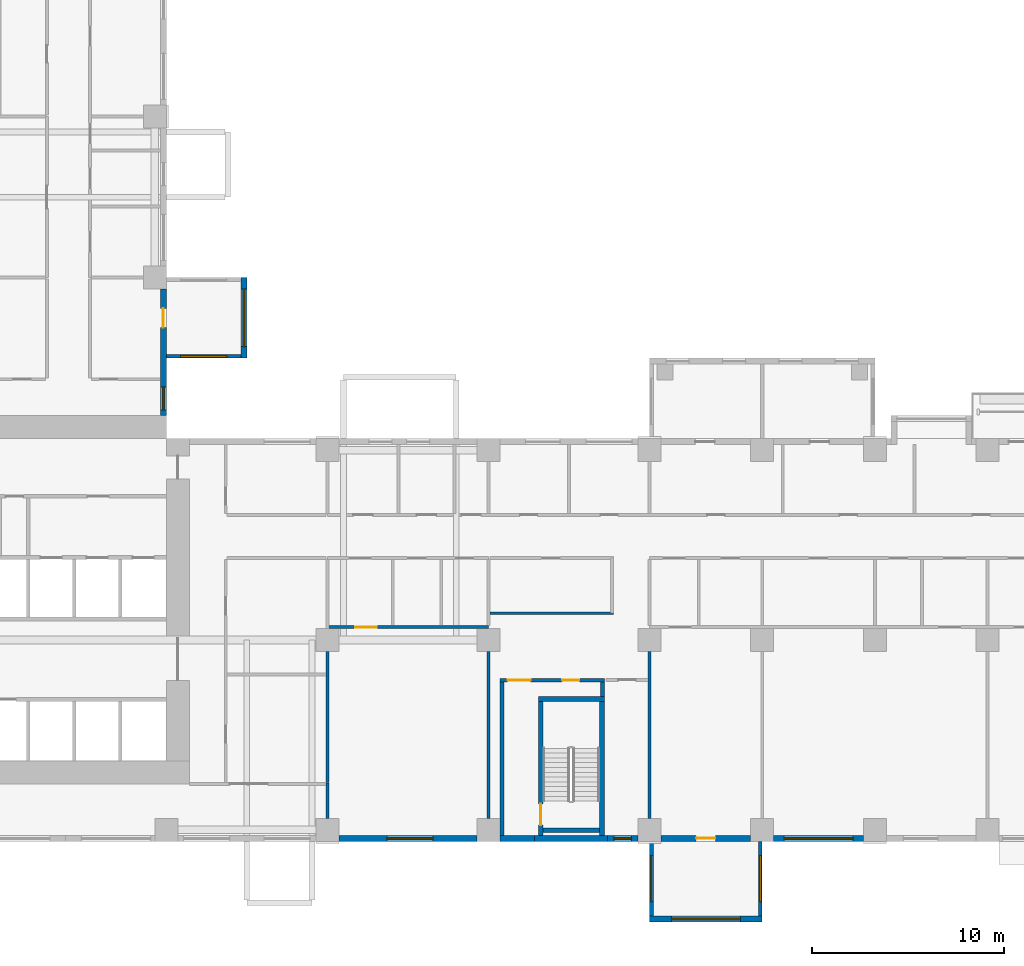
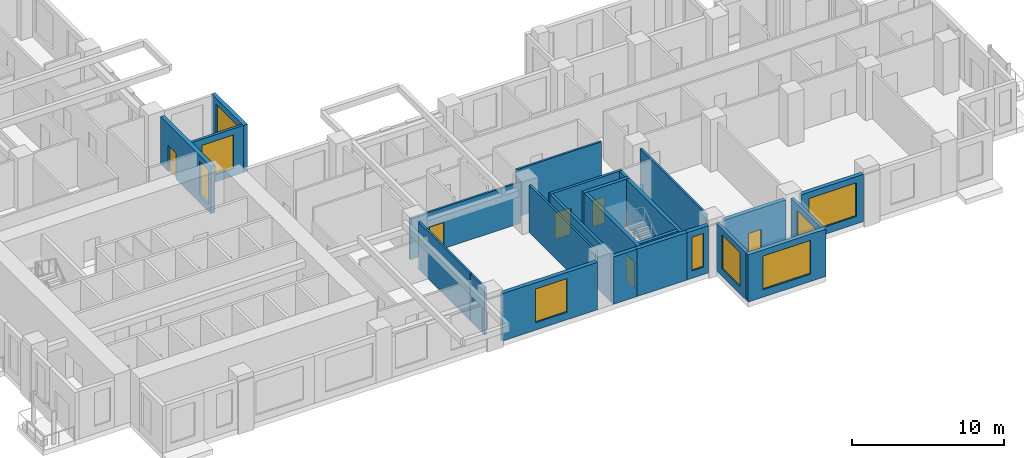
# One storey, part 4 of 15: 25 walls, 9 windows, 6 doors, 15 openings.
"""IFC4 building model written with IfcOpenShell, lengths in metres."""

from ifc_helpers import new_model, si_unit, direction, frame, frame_2d, origin, place, context, subcontext, project, spatial, rectangle, extrude, source, transform, mapped, material, layer, layer_set, type_object, element, fill, save


model = new_model("IFC4")

# Units and contexts
model_context = context("Model", 3, precision=1e-05, world=origin(), true_north=direction((0.0, 1.0)))
body_context = subcontext(model_context, "Body", "Model", "MODEL_VIEW")
ifc_project = project(units=[si_unit("LENGTHUNIT", "METRE"), si_unit("AREAUNIT", "SQUARE_METRE"), si_unit("VOLUMEUNIT", "CUBIC_METRE"), si_unit("PLANEANGLEUNIT", "RADIAN"), si_unit("MASSUNIT", "GRAM", prefix="KILO")], contexts=[model_context])

# Site, building, storey
site_placement = place(None, origin())
site = spatial("IfcSite", under=ifc_project, at=site_placement, CompositionType="ELEMENT")
building_placement = place(site_placement, origin())
building = spatial("IfcBuilding", under=site, at=building_placement, Name="Aurelian Terraces", CompositionType="ELEMENT")
storey_placement = place(building_placement, frame((0.0, 0.0, 61.5)))
storey = spatial("IfcBuildingStorey", under=building, at=storey_placement, Name="L12", CompositionType="ELEMENT", Elevation=61.5)

# Wall, opening, window
ifc_material_1 = material(Name="Terracotta rainscreen cladding", Category="masonry")
ifc_layer_1 = layer(ifc_material_1, 0.3)
ifc_layer_set_1 = layer_set([ifc_layer_1], Name="EW-300")
wall_type_1 = type_object("IfcWallType", Name="EW-300", PredefinedType="STANDARD", material=ifc_layer_set_1)
shared_shape_1 = source(origin(), body_context, "Body", "SweptSolid", [
    extrude(rectangle(XDim=7.2, YDim=0.3, at=frame_2d((3.6, 0.0))), origin(), (0.0, 0.0, 1.0), 3.8),
])
wall_1_placement = place(storey_placement, frame((30.0, 0.15, 0.0), z_axis=(0.0, 0.0, 1.0), x_axis=(1.0, 0.0, 0.0)))
wall_1 = element("IfcWall", 1, at=wall_1_placement, inside=storey, type_object=wall_type_1, Name="External wall L12 F01.6", PredefinedType="STANDARD", context=body_context, shape_type="MappedRepresentation", body=[
    mapped(shared_shape_1, transform((0.0, 0.0, 0.0), scale=1.0)),
])
shared_shape_2 = source(origin(), body_context, "Body", "SweptSolid", [
    extrude(rectangle(XDim=2.4, YDim=2.7, at=frame_2d((1.2, 1.35))), frame((0.0, 0.16, 0.0), z_axis=(0.0, -1.0, 0.0), x_axis=(1.0, 0.0, 0.0)), (0.0, 0.0, 1.0), 0.32),
])
opening_1_placement = place(wall_1_placement, frame((2.5, 0.0, 0.6)))
opening_1 = element("IfcOpeningElement", 2, at=opening_1_placement, cuts=wall_1, Name="Opening W2427", PredefinedType="OPENING", context=body_context, shape_type="MappedRepresentation", body=[
    mapped(shared_shape_2, transform((0.0, 0.0, 0.0), scale=1.0)),
])
ifc_material_2 = material(Name="Clear glazing", Category="glass")
window_type_1 = type_object("IfcWindowType", Name="W-2400x2700", PartitioningType="SINGLE_PANEL", PredefinedType="WINDOW", material=ifc_material_2)
shared_shape_3 = source(origin(), body_context, "Body", "SweptSolid", [
    extrude(rectangle(XDim=2.4, YDim=2.7, at=frame_2d((1.2, 1.35))), frame((0.0, 0.03, 0.0), z_axis=(0.0, -1.0, 0.0), x_axis=(1.0, 0.0, 0.0)), (0.0, 0.0, 1.0), 0.06),
])
window_1_placement = place(opening_1_placement, origin())
window_1 = element("IfcWindow", 3, at=window_1_placement, inside=storey, type_object=window_type_1, Name="Window L12 L12-F01-06-P0", OverallHeight=2.7, OverallWidth=2.4, PartitioningType="SINGLE_PANEL", PredefinedType="WINDOW", context=body_context, shape_type="MappedRepresentation", body=[
    mapped(shared_shape_3, transform((0.0, 0.0, 0.0), scale=1.0)),
])
fill(opening_1, window_1)

# Wall, opening, door
shared_shape_4 = source(origin(), body_context, "Body", "SweptSolid", [
    extrude(rectangle(XDim=4.68, YDim=0.3, at=frame_2d((2.34, 0.0))), origin(), (0.0, 0.0, 1.0), 3.8),
])
wall_2_placement = place(storey_placement, frame((46.8, 0.15, 0.0), z_axis=(0.0, 0.0, 1.0), x_axis=(1.0, 0.0, 0.0)))
wall_2 = element("IfcWall", 4, at=wall_2_placement, inside=storey, type_object=wall_type_1, Name="External wall L12 F01.8", PredefinedType="STANDARD", context=body_context, shape_type="MappedRepresentation", body=[
    mapped(shared_shape_4, transform((0.0, 0.0, 0.0), scale=1.0)),
])
shared_shape_5 = source(origin(), body_context, "Body", "SweptSolid", [
    extrude(rectangle(XDim=1.0, YDim=2.1, at=frame_2d((0.5, 1.05))), frame((0.0, 0.16, 0.0), z_axis=(0.0, -1.0, 0.0), x_axis=(1.0, 0.0, 0.0)), (0.0, 0.0, 1.0), 0.32),
])
opening_2_placement = place(wall_2_placement, frame((1.84, 0.0, 0.0)))
opening_2 = element("IfcOpeningElement", 5, at=opening_2_placement, cuts=wall_2, Name="Opening 812001", PredefinedType="OPENING", context=body_context, shape_type="MappedRepresentation", body=[
    mapped(shared_shape_5, transform((0.0, 0.0, 0.0), scale=1.0)),
])
ifc_material_3 = material(Name="Timber door leaf", Category="wood")
door_type_1 = type_object("IfcDoorType", Name="Room door 1000x2100 left", OperationType="SINGLE_SWING_LEFT", PredefinedType="DOOR", material=ifc_material_3)
shared_shape_6 = source(origin(), body_context, "Body", "SweptSolid", [
    extrude(rectangle(XDim=1.0, YDim=2.1, at=frame_2d((0.5, 1.05))), frame((0.0, 0.025, 0.0), z_axis=(0.0, -1.0, 0.0), x_axis=(1.0, 0.0, 0.0)), (0.0, 0.0, 1.0), 0.05),
])
door_1_placement = place(opening_2_placement, origin())
door_1 = element("IfcDoor", 6, at=door_1_placement, inside=storey, type_object=door_type_1, Name="Door 812001", OperationType="SINGLE_SWING_LEFT", OverallHeight=2.1, OverallWidth=1.0, PredefinedType="DOOR", context=body_context, shape_type="MappedRepresentation", body=[
    mapped(shared_shape_6, transform((0.0, 0.0, 0.0), scale=1.0)),
])
fill(opening_2, door_1)

# Wall, opening, window
wall_3_placement = place(storey_placement, frame((52.68, 0.15, 0.0), z_axis=(0.0, 0.0, 1.0), x_axis=(1.0, 0.0, 0.0)))
wall_3 = element("IfcWall", 7, at=wall_3_placement, inside=storey, type_object=wall_type_1, Name="External wall L12 F01.9", PredefinedType="STANDARD", context=body_context, shape_type="MappedRepresentation", body=[
    mapped(shared_shape_4, transform((0.0, 0.0, 0.0), scale=1.0)),
])
shared_shape_7 = source(origin(), body_context, "Body", "SweptSolid", [
    extrude(rectangle(XDim=3.6, YDim=2.7, at=frame_2d((1.8, 1.35))), frame((0.0, 0.16, 0.0), z_axis=(0.0, -1.0, 0.0), x_axis=(1.0, 0.0, 0.0)), (0.0, 0.0, 1.0), 0.32),
])
opening_3_placement = place(wall_3_placement, frame((0.54, 0.0, 0.6)))
opening_3 = element("IfcOpeningElement", 8, at=opening_3_placement, cuts=wall_3, Name="Opening W3627", PredefinedType="OPENING", context=body_context, shape_type="MappedRepresentation", body=[
    mapped(shared_shape_7, transform((0.0, 0.0, 0.0), scale=1.0)),
])
window_type_2 = type_object("IfcWindowType", Name="W-3600x2700", PartitioningType="SINGLE_PANEL", PredefinedType="WINDOW", material=ifc_material_2)
shared_shape_8 = source(origin(), body_context, "Body", "SweptSolid", [
    extrude(rectangle(XDim=3.6, YDim=2.7, at=frame_2d((1.8, 1.35))), frame((0.0, 0.03, 0.0), z_axis=(0.0, -1.0, 0.0), x_axis=(1.0, 0.0, 0.0)), (0.0, 0.0, 1.0), 0.06),
])
window_2_placement = place(opening_3_placement, origin())
window_2 = element("IfcWindow", 9, at=window_2_placement, inside=storey, type_object=window_type_2, Name="Window L12 L12-F01-09-0", OverallHeight=2.7, OverallWidth=3.6, PartitioningType="SINGLE_PANEL", PredefinedType="WINDOW", context=body_context, shape_type="MappedRepresentation", body=[
    mapped(shared_shape_8, transform((0.0, 0.0, 0.0), scale=1.0)),
])
fill(opening_3, window_2)

shared_shape_9 = source(origin(), body_context, "Body", "SweptSolid", [
    extrude(rectangle(XDim=1.6, YDim=0.3, at=frame_2d((0.8, 0.0))), origin(), (0.0, 0.0, 1.0), 3.8),
])
wall_4_placement = place(storey_placement, frame((44.0, 0.15, 0.0), z_axis=(0.0, 0.0, 1.0), x_axis=(1.0, 0.0, 0.0)))
wall_4 = element("IfcWall", 10, at=wall_4_placement, inside=storey, type_object=wall_type_1, Name="External wall L12 F01.7", PredefinedType="STANDARD", context=body_context, shape_type="MappedRepresentation", body=[
    mapped(shared_shape_9, transform((0.0, 0.0, 0.0), scale=1.0)),
])
shared_shape_10 = source(origin(), body_context, "Body", "SweptSolid", [
    extrude(rectangle(XDim=0.9, YDim=2.7, at=frame_2d((0.45, 1.35))), frame((0.0, 0.16, 0.0), z_axis=(0.0, -1.0, 0.0), x_axis=(1.0, 0.0, 0.0)), (0.0, 0.0, 1.0), 0.32),
])
opening_4_placement = place(wall_4_placement, frame((0.35, 0.0, 0.6)))
opening_4 = element("IfcOpeningElement", 11, at=opening_4_placement, cuts=wall_4, Name="Opening W0927", PredefinedType="OPENING", context=body_context, shape_type="MappedRepresentation", body=[
    mapped(shared_shape_10, transform((0.0, 0.0, 0.0), scale=1.0)),
])
window_type_3 = type_object("IfcWindowType", Name="W-900x2700", PartitioningType="SINGLE_PANEL", PredefinedType="WINDOW", material=ifc_material_2)
shared_shape_11 = source(origin(), body_context, "Body", "SweptSolid", [
    extrude(rectangle(XDim=0.9, YDim=2.7, at=frame_2d((0.45, 1.35))), frame((0.0, 0.03, 0.0), z_axis=(0.0, -1.0, 0.0), x_axis=(1.0, 0.0, 0.0)), (0.0, 0.0, 1.0), 0.06),
])
window_3_placement = place(opening_4_placement, origin())
window_3 = element("IfcWindow", 12, at=window_3_placement, inside=storey, type_object=window_type_3, Name="Window L12 L12-F01-07-P2", OverallHeight=2.7, OverallWidth=0.9, PartitioningType="SINGLE_PANEL", PredefinedType="WINDOW", context=body_context, shape_type="MappedRepresentation", body=[
    mapped(shared_shape_11, transform((0.0, 0.0, 0.0), scale=1.0)),
])
fill(opening_4, window_3)

# Walls
ifc_material_4 = material(Name="Concrete fc' 40 MPa", Category="concrete")
ifc_layer_2 = layer(ifc_material_4, 0.3)
ifc_layer_set_2 = layer_set([ifc_layer_2], Name="STAIR BAY WALL 300")
wall_type_2 = type_object("IfcWallType", Name="STAIR BAY WALL 300", PredefinedType="SOLIDWALL", material=ifc_layer_set_2)
shared_shape_12 = source(origin(), body_context, "Body", "SweptSolid", [
    extrude(rectangle(XDim=3.8, YDim=0.3, at=frame_2d((1.9, 0.0))), origin(), (0.0, 0.0, 1.0), 3.8),
])
wall_5_placement = place(storey_placement, frame((40.2, 0.15, 0.0), z_axis=(0.0, 0.0, 1.0), x_axis=(1.0, 0.0, 0.0)))
element("IfcWall", 13, at=wall_5_placement, inside=storey, type_object=wall_type_2, Name="Stair bay wall L12 F01.7", PredefinedType="SOLIDWALL", context=body_context, shape_type="MappedRepresentation", body=[
    mapped(shared_shape_12, transform((0.0, 0.0, 0.0), scale=1.0)),
])
shared_shape_13 = source(origin(), body_context, "Body", "SweptSolid", [
    extrude(rectangle(XDim=1.8, YDim=0.3, at=frame_2d((0.9, 0.0))), origin(), (0.0, 0.0, 1.0), 3.8),
])
wall_6_placement = place(storey_placement, frame((38.4, 0.15, 0.0), z_axis=(0.0, 0.0, 1.0), x_axis=(1.0, 0.0, 0.0)))
element("IfcWall", 14, at=wall_6_placement, inside=storey, type_object=wall_type_1, Name="External wall L12 F01.7", PredefinedType="STANDARD", context=body_context, shape_type="MappedRepresentation", body=[
    mapped(shared_shape_13, transform((0.0, 0.0, 0.0), scale=1.0)),
])

# Wall, opening, window
ifc_layer_3 = layer(ifc_material_4, 0.2)
ifc_layer_set_3 = layer_set([ifc_layer_3], Name="BOX BEARING WALL 200")
wall_type_3 = type_object("IfcWallType", Name="BOX BEARING WALL 200", PredefinedType="SOLIDWALL", material=ifc_layer_set_3)
shared_shape_14 = source(origin(), body_context, "Body", "SweptSolid", [
    extrude(rectangle(XDim=3.9, YDim=0.2, at=frame_2d((1.95, 0.0))), origin(), (0.0, 0.0, 1.0), 3.79),
])
wall_7_placement = place(storey_placement, frame((21.0, 25.3, 0.0), z_axis=(0.0, 0.0, 1.0), x_axis=(1.0, 0.0, 0.0)))
wall_7 = element("IfcWall", 15, at=wall_7_placement, inside=storey, type_object=wall_type_3, Name="Box return L12 J11.1", PredefinedType="SOLIDWALL", context=body_context, shape_type="MappedRepresentation", body=[
    mapped(shared_shape_14, transform((0.0, 0.0, 0.0), scale=1.0)),
])
shared_shape_15 = source(origin(), body_context, "Body", "SweptSolid", [
    extrude(rectangle(XDim=2.4, YDim=2.7, at=frame_2d((1.2, 1.35))), frame((0.0, 0.11, 0.0), z_axis=(0.0, -1.0, 0.0), x_axis=(1.0, 0.0, 0.0)), (0.0, 0.0, 1.0), 0.22),
])
opening_5_placement = place(wall_7_placement, frame((0.75, 0.0, 0.6)))
opening_5 = element("IfcOpeningElement", 16, at=opening_5_placement, cuts=wall_7, Name="Opening W2427", PredefinedType="OPENING", context=body_context, shape_type="MappedRepresentation", body=[
    mapped(shared_shape_15, transform((0.0, 0.0, 0.0), scale=1.0)),
])
window_4_placement = place(opening_5_placement, origin())
window_4 = element("IfcWindow", 17, at=window_4_placement, inside=storey, type_object=window_type_1, Name="Window L12 J11-S1", OverallHeight=2.7, OverallWidth=2.4, PartitioningType="SINGLE_PANEL", PredefinedType="WINDOW", context=body_context, shape_type="MappedRepresentation", body=[
    mapped(shared_shape_3, transform((0.0, 0.0, 0.0), scale=1.0)),
])
fill(opening_5, window_4)

shared_shape_16 = source(origin(), body_context, "Body", "SweptSolid", [
    extrude(rectangle(XDim=3.9, YDim=0.2, at=frame_2d((1.95, 0.0))), origin(), (0.0, 0.0, 1.0), 3.8),
])
wall_8_placement = place(storey_placement, frame((46.3, 0.0, 0.0), z_axis=(0.0, 0.0, 1.0), x_axis=(0.0, -1.0, 0.0)))
wall_8 = element("IfcWall", 18, at=wall_8_placement, inside=storey, type_object=wall_type_3, Name="Box return L12 J07.1", PredefinedType="SOLIDWALL", context=body_context, shape_type="MappedRepresentation", body=[
    mapped(shared_shape_16, transform((0.0, 0.0, 0.0), scale=1.0)),
])
opening_6_placement = place(wall_8_placement, frame((0.75, 0.0, 0.6)))
opening_6 = element("IfcOpeningElement", 19, at=opening_6_placement, cuts=wall_8, Name="Opening W2427", PredefinedType="OPENING", context=body_context, shape_type="MappedRepresentation", body=[
    mapped(shared_shape_15, transform((0.0, 0.0, 0.0), scale=1.0)),
])
window_5_placement = place(opening_6_placement, origin())
window_5 = element("IfcWindow", 20, at=window_5_placement, inside=storey, type_object=window_type_1, Name="Window L12 J07-S1", OverallHeight=2.7, OverallWidth=2.4, PartitioningType="SINGLE_PANEL", PredefinedType="WINDOW", context=body_context, shape_type="MappedRepresentation", body=[
    mapped(shared_shape_3, transform((0.0, 0.0, 0.0), scale=1.0)),
])
fill(opening_6, window_5)

wall_9_placement = place(storey_placement, frame((51.98, 0.0, 0.0), z_axis=(0.0, 0.0, 1.0), x_axis=(0.0, -1.0, 0.0)))
wall_9 = element("IfcWall", 21, at=wall_9_placement, inside=storey, type_object=wall_type_3, Name="Box return L12 J07.2", PredefinedType="SOLIDWALL", context=body_context, shape_type="MappedRepresentation", body=[
    mapped(shared_shape_16, transform((0.0, 0.0, 0.0), scale=1.0)),
])
opening_7_placement = place(wall_9_placement, frame((0.75, 0.0, 0.6)))
opening_7 = element("IfcOpeningElement", 22, at=opening_7_placement, cuts=wall_9, Name="Opening W2427", PredefinedType="OPENING", context=body_context, shape_type="MappedRepresentation", body=[
    mapped(shared_shape_15, transform((0.0, 0.0, 0.0), scale=1.0)),
])
window_6_placement = place(opening_7_placement, origin())
window_6 = element("IfcWindow", 23, at=window_6_placement, inside=storey, type_object=window_type_1, Name="Window L12 J07-S2", OverallHeight=2.7, OverallWidth=2.4, PartitioningType="SINGLE_PANEL", PredefinedType="WINDOW", context=body_context, shape_type="MappedRepresentation", body=[
    mapped(shared_shape_3, transform((0.0, 0.0, 0.0), scale=1.0)),
])
fill(opening_7, window_6)

ifc_layer_4 = layer(ifc_material_4, 0.3)
ifc_layer_set_4 = layer_set([ifc_layer_4], Name="BOX BEARING WALL 300")
wall_type_4 = type_object("IfcWallType", Name="BOX BEARING WALL 300", PredefinedType="SOLIDWALL", material=ifc_layer_set_4)
shared_shape_17 = source(origin(), body_context, "Body", "SweptSolid", [
    extrude(rectangle(XDim=5.88, YDim=0.3, at=frame_2d((2.94, 0.0))), origin(), (0.0, 0.0, 1.0), 3.8),
])
wall_10_placement = place(storey_placement, frame((46.2, -4.05, 0.0), z_axis=(0.0, 0.0, 1.0), x_axis=(1.0, 0.0, 0.0)))
wall_10 = element("IfcWall", 24, at=wall_10_placement, inside=storey, type_object=wall_type_4, Name="Box wall L12 J07", PredefinedType="SOLIDWALL", context=body_context, shape_type="MappedRepresentation", body=[
    mapped(shared_shape_17, transform((0.0, 0.0, 0.0), scale=1.0)),
])
opening_8_placement = place(wall_10_placement, frame((1.14, 0.0, 0.6)))
opening_8 = element("IfcOpeningElement", 25, at=opening_8_placement, cuts=wall_10, Name="Opening W3627", PredefinedType="OPENING", context=body_context, shape_type="MappedRepresentation", body=[
    mapped(shared_shape_7, transform((0.0, 0.0, 0.0), scale=1.0)),
])
window_7_placement = place(opening_8_placement, origin())
window_7 = element("IfcWindow", 26, at=window_7_placement, inside=storey, type_object=window_type_2, Name="Window L12 J07-F1", OverallHeight=2.7, OverallWidth=3.6, PartitioningType="SINGLE_PANEL", PredefinedType="WINDOW", context=body_context, shape_type="MappedRepresentation", body=[
    mapped(shared_shape_8, transform((0.0, 0.0, 0.0), scale=1.0)),
])
fill(opening_8, window_7)

# Wall, openings, window, door
shared_shape_18 = source(origin(), body_context, "Body", "SweptSolid", [
    extrude(rectangle(XDim=6.6, YDim=0.3, at=frame_2d((3.3, 0.0))), origin(), (0.0, 0.0, 1.0), 3.8),
])
wall_11_placement = place(storey_placement, frame((20.85, 22.2, 0.0), z_axis=(0.0, 0.0, 1.0), x_axis=(0.0, 1.0, 0.0)))
wall_11 = element("IfcWall", 27, at=wall_11_placement, inside=storey, type_object=wall_type_1, Name="External wall L12 F08.24", PredefinedType="STANDARD", context=body_context, shape_type="MappedRepresentation", body=[
    mapped(shared_shape_18, transform((0.0, 0.0, 0.0), scale=1.0)),
])
shared_shape_19 = source(origin(), body_context, "Body", "SweptSolid", [
    extrude(rectangle(XDim=1.2, YDim=2.7, at=frame_2d((0.6, 1.35))), frame((0.0, 0.16, 0.0), z_axis=(0.0, -1.0, 0.0), x_axis=(1.0, 0.0, 0.0)), (0.0, 0.0, 1.0), 0.32),
])
opening_9_placement = place(wall_11_placement, frame((0.3, 0.0, 0.6)))
opening_9 = element("IfcOpeningElement", 28, at=opening_9_placement, cuts=wall_11, Name="Opening W1227", PredefinedType="OPENING", context=body_context, shape_type="MappedRepresentation", body=[
    mapped(shared_shape_19, transform((0.0, 0.0, 0.0), scale=1.0)),
])
opening_10_placement = place(wall_11_placement, frame((4.6, 0.0, 0.0)))
opening_10 = element("IfcOpeningElement", 29, at=opening_10_placement, cuts=wall_11, Name="Opening 812005", PredefinedType="OPENING", context=body_context, shape_type="MappedRepresentation", body=[
    mapped(shared_shape_5, transform((0.0, 0.0, 0.0), scale=1.0)),
])
window_type_4 = type_object("IfcWindowType", Name="W-1200x2700", PartitioningType="SINGLE_PANEL", PredefinedType="WINDOW", material=ifc_material_2)
shared_shape_20 = source(origin(), body_context, "Body", "SweptSolid", [
    extrude(rectangle(XDim=1.2, YDim=2.7, at=frame_2d((0.6, 1.35))), frame((0.0, 0.03, 0.0), z_axis=(0.0, -1.0, 0.0), x_axis=(1.0, 0.0, 0.0)), (0.0, 0.0, 1.0), 0.06),
])
window_8_placement = place(opening_9_placement, origin())
window_8 = element("IfcWindow", 30, at=window_8_placement, inside=storey, type_object=window_type_4, Name="Window L12 L12-F08-24-0", OverallHeight=2.7, OverallWidth=1.2, PartitioningType="SINGLE_PANEL", PredefinedType="WINDOW", context=body_context, shape_type="MappedRepresentation", body=[
    mapped(shared_shape_20, transform((0.0, 0.0, 0.0), scale=1.0)),
])
fill(opening_9, window_8)
door_2_placement = place(opening_10_placement, origin())
door_2 = element("IfcDoor", 31, at=door_2_placement, inside=storey, type_object=door_type_1, Name="Door 812005", OperationType="SINGLE_SWING_LEFT", OverallHeight=2.1, OverallWidth=1.0, PredefinedType="DOOR", context=body_context, shape_type="MappedRepresentation", body=[
    mapped(shared_shape_6, transform((0.0, 0.0, 0.0), scale=1.0)),
])
fill(opening_10, door_2)

# Wall, opening, window
shared_shape_21 = source(origin(), body_context, "Body", "SweptSolid", [
    extrude(rectangle(XDim=4.2, YDim=0.3, at=frame_2d((2.1, 0.0))), origin(), (0.0, 0.0, 1.0), 3.79),
])
wall_12_placement = place(storey_placement, frame((25.05, 25.2, 0.0), z_axis=(0.0, 0.0, 1.0), x_axis=(0.0, 1.0, 0.0)))
wall_12 = element("IfcWall", 32, at=wall_12_placement, inside=storey, type_object=wall_type_4, Name="Box wall L12 J11", PredefinedType="SOLIDWALL", context=body_context, shape_type="MappedRepresentation", body=[
    mapped(shared_shape_21, transform((0.0, 0.0, 0.0), scale=1.0)),
])
shared_shape_22 = source(origin(), body_context, "Body", "SweptSolid", [
    extrude(rectangle(XDim=3.0, YDim=2.7, at=frame_2d((1.5, 1.35))), frame((0.0, 0.16, 0.0), z_axis=(0.0, -1.0, 0.0), x_axis=(1.0, 0.0, 0.0)), (0.0, 0.0, 1.0), 0.32),
])
opening_11_placement = place(wall_12_placement, frame((0.6, 0.0, 0.6)))
opening_11 = element("IfcOpeningElement", 33, at=opening_11_placement, cuts=wall_12, Name="Opening W3027", PredefinedType="OPENING", context=body_context, shape_type="MappedRepresentation", body=[
    mapped(shared_shape_22, transform((0.0, 0.0, 0.0), scale=1.0)),
])
window_type_5 = type_object("IfcWindowType", Name="W-3000x2700", PartitioningType="SINGLE_PANEL", PredefinedType="WINDOW", material=ifc_material_2)
shared_shape_23 = source(origin(), body_context, "Body", "SweptSolid", [
    extrude(rectangle(XDim=3.0, YDim=2.7, at=frame_2d((1.5, 1.35))), frame((0.0, 0.03, 0.0), z_axis=(0.0, -1.0, 0.0), x_axis=(1.0, 0.0, 0.0)), (0.0, 0.0, 1.0), 0.06),
])
window_9_placement = place(opening_11_placement, origin())
window_9 = element("IfcWindow", 34, at=window_9_placement, inside=storey, type_object=window_type_5, Name="Window L12 J11-F1", OverallHeight=2.7, OverallWidth=3.0, PartitioningType="SINGLE_PANEL", PredefinedType="WINDOW", context=body_context, shape_type="MappedRepresentation", body=[
    mapped(shared_shape_23, transform((0.0, 0.0, 0.0), scale=1.0)),
])
fill(opening_11, window_9)

# Wall, opening, door
ifc_layer_5 = layer(ifc_material_4, 0.25)
ifc_layer_set_5 = layer_set([ifc_layer_5], Name="Stair enclosure wall 250")
wall_type_5 = type_object("IfcWallType", Name="Stair enclosure wall 250", PredefinedType="SOLIDWALL", material=ifc_layer_set_5)
shared_shape_24 = source(origin(), body_context, "Body", "SweptSolid", [
    extrude(rectangle(XDim=7.0, YDim=0.25, at=frame_2d((3.5, 0.0))), origin(), (0.0, 0.0, 1.0), 3.8),
])
wall_13_placement = place(storey_placement, frame((40.525, 0.3, 0.0), z_axis=(0.0, 0.0, 1.0), x_axis=(0.0, 1.0, 0.0)))
wall_13 = element("IfcWall", 35, at=wall_13_placement, inside=storey, type_object=wall_type_5, Name="L12 core wall ST-S2-W", PredefinedType="SOLIDWALL", context=body_context, shape_type="MappedRepresentation", body=[
    mapped(shared_shape_24, transform((0.0, 0.0, 0.0), scale=1.0)),
])
shared_shape_25 = source(origin(), body_context, "Body", "SweptSolid", [
    extrude(rectangle(XDim=1.1, YDim=2.1, at=frame_2d((0.55, 1.05))), frame((0.0, 0.135, 0.0), z_axis=(0.0, -1.0, 0.0), x_axis=(1.0, 0.0, 0.0)), (0.0, 0.0, 1.0), 0.27),
])
opening_12_placement = place(wall_13_placement, frame((0.55, 0.0, 0.0)))
opening_12 = element("IfcOpeningElement", 36, at=opening_12_placement, cuts=wall_13, Name="Opening 61515", PredefinedType="OPENING", context=body_context, shape_type="MappedRepresentation", body=[
    mapped(shared_shape_25, transform((0.0, 0.0, 0.0), scale=1.0)),
])
ifc_material_5 = material(Name="Steel door leaf", Category="steel")
door_type_2 = type_object("IfcDoorType", Name="Core fire door 1100x2100", OperationType="SINGLE_SWING_LEFT", PredefinedType="DOOR", material=ifc_material_5)
shared_shape_26 = source(origin(), body_context, "Body", "SweptSolid", [
    extrude(rectangle(XDim=1.1, YDim=2.1, at=frame_2d((0.55, 1.05))), frame((0.0, 0.025, 0.0), z_axis=(0.0, -1.0, 0.0), x_axis=(1.0, 0.0, 0.0)), (0.0, 0.0, 1.0), 0.05),
])
door_3_placement = place(opening_12_placement, origin())
door_3 = element("IfcDoor", 37, at=door_3_placement, inside=storey, type_object=door_type_2, Name="Stair door 61515", OperationType="SINGLE_SWING_LEFT", OverallHeight=2.1, OverallWidth=1.1, PredefinedType="DOOR", context=body_context, shape_type="MappedRepresentation", body=[
    mapped(shared_shape_26, transform((0.0, 0.0, 0.0), scale=1.0)),
])
fill(opening_12, door_3)

# Walls
wall_14_placement = place(storey_placement, frame((43.725, 0.3, 0.0), z_axis=(0.0, 0.0, 1.0), x_axis=(0.0, 1.0, 0.0)))
element("IfcWall", 38, at=wall_14_placement, inside=storey, type_object=wall_type_5, Name="L12 core wall ST-S2-E", PredefinedType="SOLIDWALL", context=body_context, shape_type="MappedRepresentation", body=[
    mapped(shared_shape_24, transform((0.0, 0.0, 0.0), scale=1.0)),
])
shared_shape_27 = source(origin(), body_context, "Body", "SweptSolid", [
    extrude(rectangle(XDim=3.45, YDim=0.25, at=frame_2d((1.725, 0.0))), origin(), (0.0, 0.0, 1.0), 3.8),
])
wall_15_placement = place(storey_placement, frame((40.4, 7.425, 0.0), z_axis=(0.0, 0.0, 1.0), x_axis=(1.0, 0.0, 0.0)))
element("IfcWall", 39, at=wall_15_placement, inside=storey, type_object=wall_type_5, Name="L12 core wall ST-S2-N", PredefinedType="SOLIDWALL", context=body_context, shape_type="MappedRepresentation", body=[
    mapped(shared_shape_27, transform((0.0, 0.0, 0.0), scale=1.0)),
])
shared_shape_28 = source(origin(), body_context, "Body", "SweptSolid", [
    extrude(rectangle(XDim=2.95, YDim=0.25, at=frame_2d((1.475, 0.0))), origin(), (0.0, 0.0, 1.0), 3.8),
])
wall_16_placement = place(storey_placement, frame((40.65, 0.575, 0.0), z_axis=(0.0, 0.0, 1.0), x_axis=(1.0, 0.0, 0.0)))
element("IfcWall", 40, at=wall_16_placement, inside=storey, type_object=wall_type_5, Name="L12 core wall ST-S2-SS", PredefinedType="SOLIDWALL", context=body_context, shape_type="MappedRepresentation", body=[
    mapped(shared_shape_28, transform((0.0, 0.0, 0.0), scale=1.0)),
])
ifc_material_6 = material(Name="Gypsum board on steel studs", Category="steel")
ifc_layer_6 = layer(ifc_material_6, 0.2)
ifc_layer_set_6 = layer_set([ifc_layer_6], Name="Core partition 200")
wall_type_6 = type_object("IfcWallType", Name="Core partition 200", PredefinedType="PARTITIONING", material=ifc_layer_set_6)
shared_shape_29 = source(origin(), body_context, "Body", "SweptSolid", [
    extrude(rectangle(XDim=8.0, YDim=0.2, at=frame_2d((4.0, 0.0))), origin(), (0.0, 0.0, 1.0), 3.8),
])
wall_17_placement = place(storey_placement, frame((38.5, 0.3, 0.0), z_axis=(0.0, 0.0, 1.0), x_axis=(0.0, 1.0, 0.0)))
element("IfcWall", 41, at=wall_17_placement, inside=storey, type_object=wall_type_6, Name="L12 core wall ST-S2-VW", PredefinedType="PARTITIONING", context=body_context, shape_type="MappedRepresentation", body=[
    mapped(shared_shape_29, transform((0.0, 0.0, 0.0), scale=1.0)),
])

# Wall, openings, doors
shared_shape_30 = source(origin(), body_context, "Body", "SweptSolid", [
    extrude(rectangle(XDim=5.45, YDim=0.2, at=frame_2d((2.725, 0.0))), origin(), (0.0, 0.0, 1.0), 3.8),
])
wall_18_placement = place(storey_placement, frame((38.4, 8.4, 0.0), z_axis=(0.0, 0.0, 1.0), x_axis=(1.0, 0.0, 0.0)))
wall_18 = element("IfcWall", 42, at=wall_18_placement, inside=storey, type_object=wall_type_6, Name="L12 core wall ST-S2-BN", PredefinedType="PARTITIONING", context=body_context, shape_type="MappedRepresentation", body=[
    mapped(shared_shape_30, transform((0.0, 0.0, 0.0), scale=1.0)),
])
shared_shape_31 = source(origin(), body_context, "Body", "SweptSolid", [
    extrude(rectangle(XDim=1.2, YDim=2.1, at=frame_2d((0.6, 1.05))), frame((0.0, 0.11, 0.0), z_axis=(0.0, -1.0, 0.0), x_axis=(1.0, 0.0, 0.0)), (0.0, 0.0, 1.0), 0.22),
])
opening_13_placement = place(wall_18_placement, frame((0.4, 0.0, 0.0)))
opening_13 = element("IfcOpeningElement", 43, at=opening_13_placement, cuts=wall_18, Name="Opening 61516", PredefinedType="OPENING", context=body_context, shape_type="MappedRepresentation", body=[
    mapped(shared_shape_31, transform((0.0, 0.0, 0.0), scale=1.0)),
])
shared_shape_32 = source(origin(), body_context, "Body", "SweptSolid", [
    extrude(rectangle(XDim=0.9, YDim=2.1, at=frame_2d((0.45, 1.05))), frame((0.0, 0.11, 0.0), z_axis=(0.0, -1.0, 0.0), x_axis=(1.0, 0.0, 0.0)), (0.0, 0.0, 1.0), 0.22),
])
opening_14_placement = place(wall_18_placement, frame((3.25, 0.0, 0.0)))
opening_14 = element("IfcOpeningElement", 44, at=opening_14_placement, cuts=wall_18, Name="Opening 61517", PredefinedType="OPENING", context=body_context, shape_type="MappedRepresentation", body=[
    mapped(shared_shape_32, transform((0.0, 0.0, 0.0), scale=1.0)),
])
door_type_3 = type_object("IfcDoorType", Name="Core riser door 900x2100", OperationType="SINGLE_SWING_LEFT", PredefinedType="DOOR", material=ifc_material_5)
shared_shape_33 = source(origin(), body_context, "Body", "SweptSolid", [
    extrude(rectangle(XDim=0.9, YDim=2.1, at=frame_2d((0.45, 1.05))), frame((0.0, 0.025, 0.0), z_axis=(0.0, -1.0, 0.0), x_axis=(1.0, 0.0, 0.0)), (0.0, 0.0, 1.0), 0.05),
])
door_4_placement = place(opening_14_placement, origin())
door_4 = element("IfcDoor", 45, at=door_4_placement, inside=storey, type_object=door_type_3, Name="Riser door 61517", OperationType="SINGLE_SWING_LEFT", OverallHeight=2.1, OverallWidth=0.9, PredefinedType="DOOR", context=body_context, shape_type="MappedRepresentation", body=[
    mapped(shared_shape_33, transform((0.0, 0.0, 0.0), scale=1.0)),
])
fill(opening_14, door_4)
door_type_4 = type_object("IfcDoorType", Name="Core fire door 1200x2100 right", OperationType="SINGLE_SWING_RIGHT", PredefinedType="DOOR", material=ifc_material_5)
shared_shape_34 = source(origin(), body_context, "Body", "SweptSolid", [
    extrude(rectangle(XDim=1.2, YDim=2.1, at=frame_2d((0.6, 1.05))), frame((0.0, 0.025, 0.0), z_axis=(0.0, -1.0, 0.0), x_axis=(1.0, 0.0, 0.0)), (0.0, 0.0, 1.0), 0.05),
])
door_5_placement = place(opening_13_placement, origin())
door_5 = element("IfcDoor", 46, at=door_5_placement, inside=storey, type_object=door_type_4, Name="Vestibule door 61516", OperationType="SINGLE_SWING_RIGHT", OverallHeight=2.1, OverallWidth=1.2, PredefinedType="DOOR", context=body_context, shape_type="MappedRepresentation", body=[
    mapped(shared_shape_34, transform((0.0, 0.0, 0.0), scale=1.0)),
])
fill(opening_13, door_5)

# Walls
shared_shape_35 = source(origin(), body_context, "Body", "SweptSolid", [
    extrude(rectangle(XDim=0.75, YDim=0.2, at=frame_2d((0.375, 0.0))), origin(), (0.0, 0.0, 1.0), 3.8),
])
wall_19_placement = place(storey_placement, frame((43.75, 7.55, 0.0), z_axis=(0.0, 0.0, 1.0), x_axis=(0.0, 1.0, 0.0)))
element("IfcWall", 47, at=wall_19_placement, inside=storey, type_object=wall_type_6, Name="L12 core wall ST-S2-RE", PredefinedType="PARTITIONING", context=body_context, shape_type="MappedRepresentation", body=[
    mapped(shared_shape_35, transform((0.0, 0.0, 0.0), scale=1.0)),
])
ifc_layer_7 = layer(ifc_material_6, 0.15)
ifc_layer_set_7 = layer_set([ifc_layer_7], Name="Partition 150")
wall_type_7 = type_object("IfcWallType", Name="Partition 150", PredefinedType="PARTITIONING", material=ifc_layer_set_7)
shared_shape_36 = source(origin(), body_context, "Body", "SweptSolid", [
    extrude(rectangle(XDim=6.45, YDim=0.15, at=frame_2d((3.225, 0.0))), origin(), (0.0, 0.0, 1.0), 3.8),
])
wall_20_placement = place(storey_placement, frame((37.875, 11.9, 0.0), z_axis=(0.0, 0.0, 1.0), x_axis=(1.0, 0.0, 0.0)))
element("IfcWall", 48, at=wall_20_placement, inside=storey, type_object=wall_type_7, Name="Partition", PredefinedType="PARTITIONING", context=body_context, shape_type="MappedRepresentation", body=[
    mapped(shared_shape_36, transform((0.0, 0.0, 0.0), scale=1.0)),
])
shared_shape_37 = source(origin(), body_context, "Body", "SweptSolid", [
    extrude(rectangle(XDim=8.702, YDim=0.15, at=frame_2d((4.351, 0.0))), origin(), (0.0, 0.0, 1.0), 3.8),
])
for number, where, z_axis, x_axis, name in (
    (49, (37.8, 1.199, 0.0), (0.0, 0.0, 1.0), (0.0, 1.0, 0.0), "Partition"),
    (50, (46.2, 1.199, 0.0), (0.0, 0.0, 1.0), (0.0, 1.0, 0.0), "Partition"),
):
    element("IfcWall", number, at=place(storey_placement, frame(where, z_axis=z_axis, x_axis=x_axis)), inside=storey, type_object=wall_type_7, Name=name, PredefinedType="PARTITIONING", context=body_context, shape_type="MappedRepresentation", body=[
        mapped(shared_shape_37, transform((0.0, 0.0, 0.0), scale=1.0)),
    ])
shared_shape_38 = source(origin(), body_context, "Body", "SweptSolid", [
    extrude(rectangle(XDim=6.826, YDim=0.15, at=frame_2d((3.413, 0.0))), origin(), (0.0, 0.0, 1.0), 3.8),
])
wall_21_placement = place(storey_placement, frame((29.4, 3.075, 0.0), z_axis=(0.0, 0.0, 1.0), x_axis=(0.0, 1.0, 0.0)))
element("IfcWall", 51, at=wall_21_placement, inside=storey, type_object=wall_type_7, Name="Partition", PredefinedType="PARTITIONING", context=body_context, shape_type="MappedRepresentation", body=[
    mapped(shared_shape_38, transform((0.0, 0.0, 0.0), scale=1.0)),
])
shared_shape_39 = source(origin(), body_context, "Body", "SweptSolid", [
    extrude(rectangle(XDim=1.856, YDim=0.15, at=frame_2d((0.928, 0.0))), origin(), (0.0, 0.0, 1.0), 3.8),
])
wall_22_placement = place(storey_placement, frame((29.4, 1.199, 0.0), z_axis=(0.0, 0.0, 1.0), x_axis=(0.0, 1.0, 0.0)))
element("IfcWall", 52, at=wall_22_placement, inside=storey, type_object=wall_type_7, Name="Partition", PredefinedType="PARTITIONING", context=body_context, shape_type="MappedRepresentation", body=[
    mapped(shared_shape_39, transform((0.0, 0.0, 0.0), scale=1.0)),
])

# Wall, opening, door
shared_shape_40 = source(origin(), body_context, "Body", "SweptSolid", [
    extrude(rectangle(XDim=8.4, YDim=0.15, at=frame_2d((4.2, 0.0))), origin(), (0.0, 0.0, 1.0), 3.3),
])
wall_23_placement = place(storey_placement, frame((37.8, 11.175, 0.0), z_axis=(0.0, 0.0, 1.0), x_axis=(-1.0, 0.0, 0.0)))
wall_23 = element("IfcWall", 53, at=wall_23_placement, inside=storey, type_object=wall_type_7, Name="Partition", PredefinedType="PARTITIONING", context=body_context, shape_type="MappedRepresentation", body=[
    mapped(shared_shape_40, transform((0.0, 0.0, 0.0), scale=1.0)),
])
shared_shape_41 = source(origin(), body_context, "Body", "SweptSolid", [
    extrude(rectangle(XDim=1.1, YDim=2.1, at=frame_2d((0.55, 1.05))), frame((0.0, 0.085, 0.0), z_axis=(0.0, -1.0, 0.0), x_axis=(1.0, 0.0, 0.0)), (0.0, 0.0, 1.0), 0.17),
])
opening_15_placement = place(wall_23_placement, frame((5.8331, 0.0, 0.0)))
opening_15 = element("IfcOpeningElement", 54, at=opening_15_placement, cuts=wall_23, Name="Opening 712008", PredefinedType="OPENING", context=body_context, shape_type="MappedRepresentation", body=[
    mapped(shared_shape_41, transform((0.0, 0.0, 0.0), scale=1.0)),
])
door_type_5 = type_object("IfcDoorType", Name="Room door 1100x2100 left", OperationType="SINGLE_SWING_LEFT", PredefinedType="DOOR", material=ifc_material_3)
door_6_placement = place(opening_15_placement, origin())
door_6 = element("IfcDoor", 55, at=door_6_placement, inside=storey, type_object=door_type_5, Name="Door 712008", OperationType="SINGLE_SWING_LEFT", OverallHeight=2.1, OverallWidth=1.1, PredefinedType="DOOR", context=body_context, shape_type="MappedRepresentation", body=[
    mapped(shared_shape_26, transform((0.0, 0.0, 0.0), scale=1.0)),
])
fill(opening_15, door_6)

save(model, "model.ifc")
